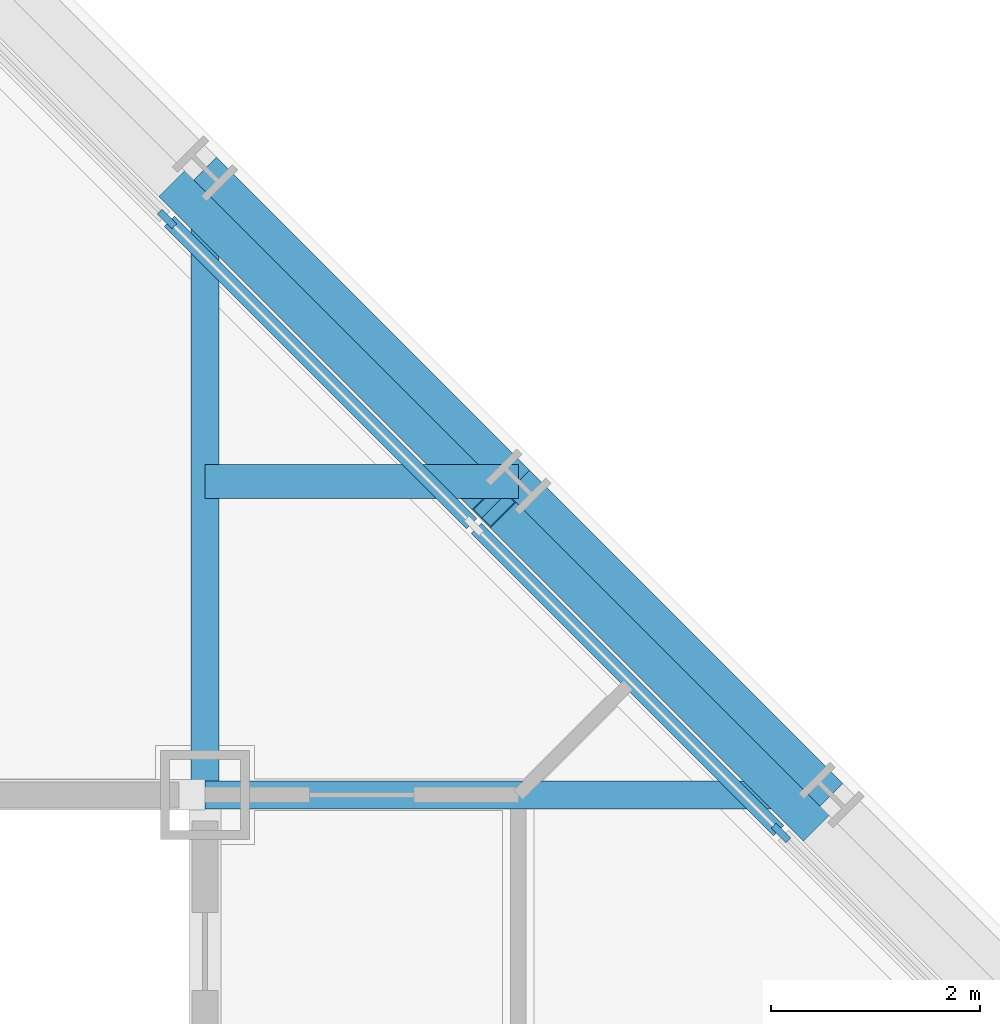
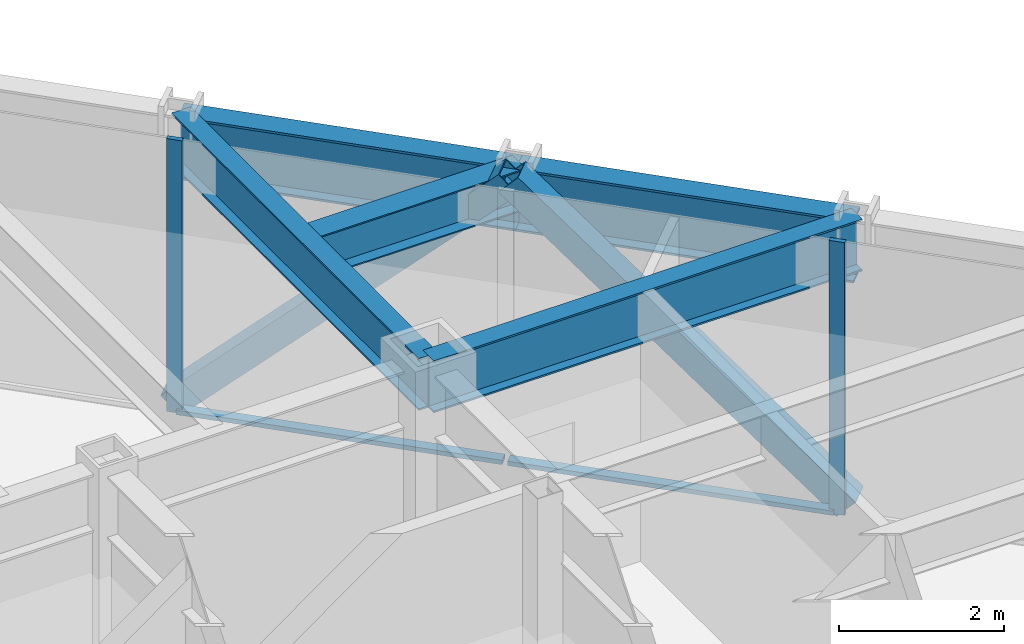
# One storey, part 9 of 16: 6 members, 5 beams, 1 element without a shape of its own.
"""IFC4 building model written with IfcOpenShell, lengths in metres."""

from ifc_helpers import new_model, si_unit, direction, frame, origin, origin_2d, place, context, subcontext, project, spatial, rectangle, hollow_rectangle, i_section, extrude, material, layer, layer_set, material_profile, profile_set, type_object, element, aggregate, save


model = new_model("IFC4")

# Units and contexts
model_context = context("Model", 3, precision=1e-05, world=origin(), true_north=direction((0.0, 1.0)))
body_context = subcontext(model_context, "Body", "Model", "MODEL_VIEW")
ifc_project = project(units=[si_unit("LENGTHUNIT", "METRE"), si_unit("AREAUNIT", "SQUARE_METRE"), si_unit("VOLUMEUNIT", "CUBIC_METRE"), si_unit("PLANEANGLEUNIT", "RADIAN"), si_unit("MASSUNIT", "GRAM", prefix="KILO")], contexts=[model_context])

# Site, building, storey
site_placement = place(None, origin())
site = spatial("IfcSite", under=ifc_project, at=site_placement, CompositionType="ELEMENT")
building_placement = place(site_placement, origin())
building = spatial("IfcBuilding", under=site, at=building_placement, Name="Chuquiago Exchange Tower", CompositionType="ELEMENT")
storey_placement = place(building_placement, frame((0.0, 0.0, 226.5)))
storey = spatial("IfcBuildingStorey", under=building, at=storey_placement, Name="L50", CompositionType="ELEMENT", Elevation=226.5)

# Beam
ifc_material_1 = material(Name="Steel ASTM A992", Category="steel")
ifc_material_profile_1 = material_profile(ifc_material_1, i_section(OverallWidth=0.3251953125, OverallDepth=0.612060546875, WebThickness=0.0126953125, FlangeThickness=0.01904296875, at=origin_2d()), Name="W24X104")
ifc_profile_set_1 = profile_set([ifc_material_profile_1], Name="Steel ASTM A992")
beam_type_1 = type_object("IfcBeamType", Name="B2 W24X104", PredefinedType="BEAM", material=ifc_profile_set_1)
beam_placement = place(storey_placement, frame((33.0, 36.0, 3.73388671875), z_axis=(1.0, 0.0, 0.0), x_axis=(0.0, 1.0, 0.0)))
element("IfcBeam", 1, at=beam_placement, inside=storey, type_object=beam_type_1, Name="FB-L51-corner-33_36-36_36-0", PredefinedType="BEAM", context=body_context, shape_type="SweptSolid", body=[
    extrude(i_section(OverallWidth=0.3251953125, OverallDepth=0.612060546875, WebThickness=0.0126953125, FlangeThickness=0.01904296875, at=origin_2d()), origin(), (0.0, 0.0, 1.0), 3.0),
])

# Curtain wall, members
ifc_material_2 = material(Name="Aluminium curtain wall system", Category="aluminium")
ifc_layer = layer(ifc_material_2, 0.199951171875)
ifc_layer_set = layer_set([ifc_layer], Name="CW3 facet curtain wall")
curtain_wall_type = type_object("IfcCurtainWallType", Name="CW3 facet curtain wall", PredefinedType="NOTDEFINED", material=ifc_layer_set)
curtain_wall_placement = place(storey_placement, origin())
curtain_wall = element("IfcCurtainWall", 2, at=curtain_wall_placement, inside=storey, type_object=curtain_wall_type, Name="CW3 curtain wall L50", PredefinedType="NOTDEFINED")
ifc_material_3 = material(Name="Aluminium mullion, pale anodised", Category="aluminium")
ifc_material_profile_2 = material_profile(ifc_material_3, rectangle(XDim=0.06494140625, YDim=0.199951171875, at=origin_2d()), Name="AL 65x200")
ifc_profile_set_2 = profile_set([ifc_material_profile_2], Name="Aluminium mullion, pale anodised")
member_type_1 = type_object("IfcMemberType", Name="CW3-M mullion 65x200", PredefinedType="MULLION", material=ifc_profile_set_2)
member_1_placement = place(storey_placement, frame((38.51708984375, 32.63427734375, 0.0), z_axis=(0.0, 0.0, 1.0), x_axis=(-0.707106781187, -0.707106781187, 0.0)))
member_1 = element("IfcMember", 3, at=member_1_placement, type_object=member_type_1, Name="CW3 mullion 3", PredefinedType="MULLION", context=body_context, shape_type="SweptSolid", body=[
    extrude(rectangle(XDim=0.06494140625, YDim=0.199951171875, at=origin_2d()), origin(), (0.0, 0.0, 1.0), 4.0400390625),
])
member_2_placement = place(storey_placement, frame((32.63427734375, 38.51708984375, 0.0), z_axis=(0.0, 0.0, 1.0), x_axis=(-0.707106781187, -0.707106781187, 0.0)))
member_2 = element("IfcMember", 4, at=member_2_placement, type_object=member_type_1, Name="CW3 mullion 5", PredefinedType="MULLION", context=body_context, shape_type="SweptSolid", body=[
    extrude(rectangle(XDim=0.06494140625, YDim=0.199951171875, at=origin_2d()), origin(), (0.0, 0.0, 1.0), 4.0400390625),
])
ifc_material_4 = material(Name="Aluminium transom, pale anodised", Category="aluminium")
ifc_material_profile_3 = material_profile(ifc_material_4, rectangle(XDim=0.139892578125, YDim=0.06494140625, at=origin_2d()), Name="AL 140x65")
ifc_profile_set_3 = profile_set([ifc_material_profile_3], Name="Aluminium transom, pale anodised")
member_type_2 = type_object("IfcMemberType", Name="CW3-T transom 65x140", PredefinedType="MULLION", material=ifc_profile_set_3)
member_3_placement = place(storey_placement, frame((38.494140625, 32.6572265625, 0.032470703125), z_axis=(-0.707106781187, 0.707106781187, 0.0), x_axis=(-0.707106781187, -0.707106781187, 0.0)))
member_3 = element("IfcMember", 5, at=member_3_placement, type_object=member_type_2, Name="CW3 transom 3.1", PredefinedType="MULLION", context=body_context, shape_type="SweptSolid", body=[
    extrude(rectangle(XDim=0.139892578125, YDim=0.06494140625, at=origin_2d()), origin(), (0.0, 0.0, 1.0), 4.094970703125),
])
member_4_placement = place(storey_placement, frame((35.552734375, 35.5986328125, 0.032470703125), z_axis=(-0.707106781187, 0.707106781187, 0.0), x_axis=(-0.707106781187, -0.707106781187, 0.0)))
member_4 = element("IfcMember", 6, at=member_4_placement, type_object=member_type_2, Name="CW3 transom 4.1", PredefinedType="MULLION", context=body_context, shape_type="SweptSolid", body=[
    extrude(rectangle(XDim=0.139892578125, YDim=0.06494140625, at=origin_2d()), origin(), (0.0, 0.0, 1.0), 4.094970703125),
])
aggregate(curtain_wall, [member_1, member_2, member_3, member_4])

# Beams
ifc_material_5 = material(Name="Steel ASTM A992", Category="steel")
ifc_material_profile_4 = material_profile(ifc_material_5, i_section(OverallWidth=0.2666015625, OverallDepth=0.76953125, WebThickness=0.015625, FlangeThickness=0.025390625, at=origin_2d()), Name="W30X132")
ifc_profile_set_4 = profile_set([ifc_material_profile_4], Name="Steel ASTM A992")
beam_type_2 = type_object("IfcBeamType", Name="G1 W30X132", PredefinedType="BEAM", material=ifc_profile_set_4)
for number, where, z_axis, x_axis, name in (
    (7, (33.0, 33.0, 3.6552734375), (0.0, 1.0, 0.0), (-1.0, 0.0, 0.0), "FB-L51-girder-33_33-33_39-0"),
    (8, (33.0, 33.0, 3.6552734375), (1.0, 0.0, 0.0), (0.0, 1.0, 0.0), "FB-L51-girder-33_33-39_33-0"),
):
    element("IfcBeam", number, at=place(storey_placement, frame(where, z_axis=z_axis, x_axis=x_axis)), inside=storey, type_object=beam_type_2, Name=name, PredefinedType="BEAM", context=body_context, shape_type="SweptSolid", body=[
        extrude(i_section(OverallWidth=0.2666015625, OverallDepth=0.76953125, WebThickness=0.015625, FlangeThickness=0.025390625, at=origin_2d()), origin(), (0.0, 0.0, 1.0), 6.0),
    ])

# Members
ifc_material_6 = material(Name="Steel ASTM A500 Grade C", Category="steel")
ifc_material_profile_5 = material_profile(ifc_material_6, hollow_rectangle(XDim=0.355712890625, YDim=0.355712890625, WallThickness=0.0146484375, at=origin_2d()), Name="HSS14X14X5/8")
ifc_profile_set_5 = profile_set([ifc_material_profile_5], Name="Steel ASTM A500 Grade C")
member_type_3 = type_object("IfcMemberType", Name="LB2 HSS14X14X5/8", PredefinedType="BRACE", material=ifc_profile_set_5)
for number, where, z_axis, x_axis, name in (
    (9, (38.7685546875, 32.7685546875, 0.0), (-0.512077265487, 0.512077265487, 0.689604051861), (-0.707106781187, -0.707106781187, 0.0), "LB-L50-39_33-36_36"),
    (10, (32.7685546875, 38.7685546875, 0.0), (0.512077265487, -0.512077265487, 0.689604051861), (0.707106781187, 0.707106781187, 0.0), "LB-L50-36_36-33_39"),
):
    element("IfcMember", number, at=place(storey_placement, frame(where, z_axis=z_axis, x_axis=x_axis)), inside=storey, type_object=member_type_3, Name=name, PredefinedType="BRACE", context=body_context, shape_type="SweptSolid", body=[
        extrude(hollow_rectangle(XDim=0.355712890625, YDim=0.355712890625, WallThickness=0.0146484375, at=origin_2d()), origin(), (0.0, 0.0, 1.0), 5.8583984375),
    ])

# Beams
ifc_material_7 = material(Name="Steel ASTM A992", Category="steel")
ifc_material_profile_6 = material_profile(ifc_material_7, i_section(OverallWidth=0.307373046875, OverallDepth=0.927001953125, WebThickness=0.01953125, FlangeThickness=0.031982421875, at=origin_2d()), Name="W36X194")
ifc_profile_set_6 = profile_set([ifc_material_profile_6], Name="Steel ASTM A992")
beam_type_3 = type_object("IfcBeamType", Name="SP3 W36X194", PredefinedType="SPANDREL", material=ifc_profile_set_6)
for number, where, z_axis, x_axis, name in (
    (11, (39.0, 33.0, 3.576416015625), (-0.707106781187, 0.707106781187, 0.0), (-0.707106781187, -0.707106781187, 0.0), "SPB-L51-39_33-36_36"),
    (12, (36.0, 36.0, 3.576416015625), (-0.707106781187, 0.707106781187, 0.0), (-0.707106781187, -0.707106781187, 0.0), "SPB-L51-36_36-33_39"),
):
    element("IfcBeam", number, at=place(storey_placement, frame(where, z_axis=z_axis, x_axis=x_axis)), inside=storey, type_object=beam_type_3, Name=name, PredefinedType="SPANDREL", context=body_context, shape_type="SweptSolid", body=[
        extrude(i_section(OverallWidth=0.307373046875, OverallDepth=0.927001953125, WebThickness=0.01953125, FlangeThickness=0.031982421875, at=origin_2d()), origin(), (0.0, 0.0, 1.0), 4.24267578125),
    ])

save(model, "model.ifc")
